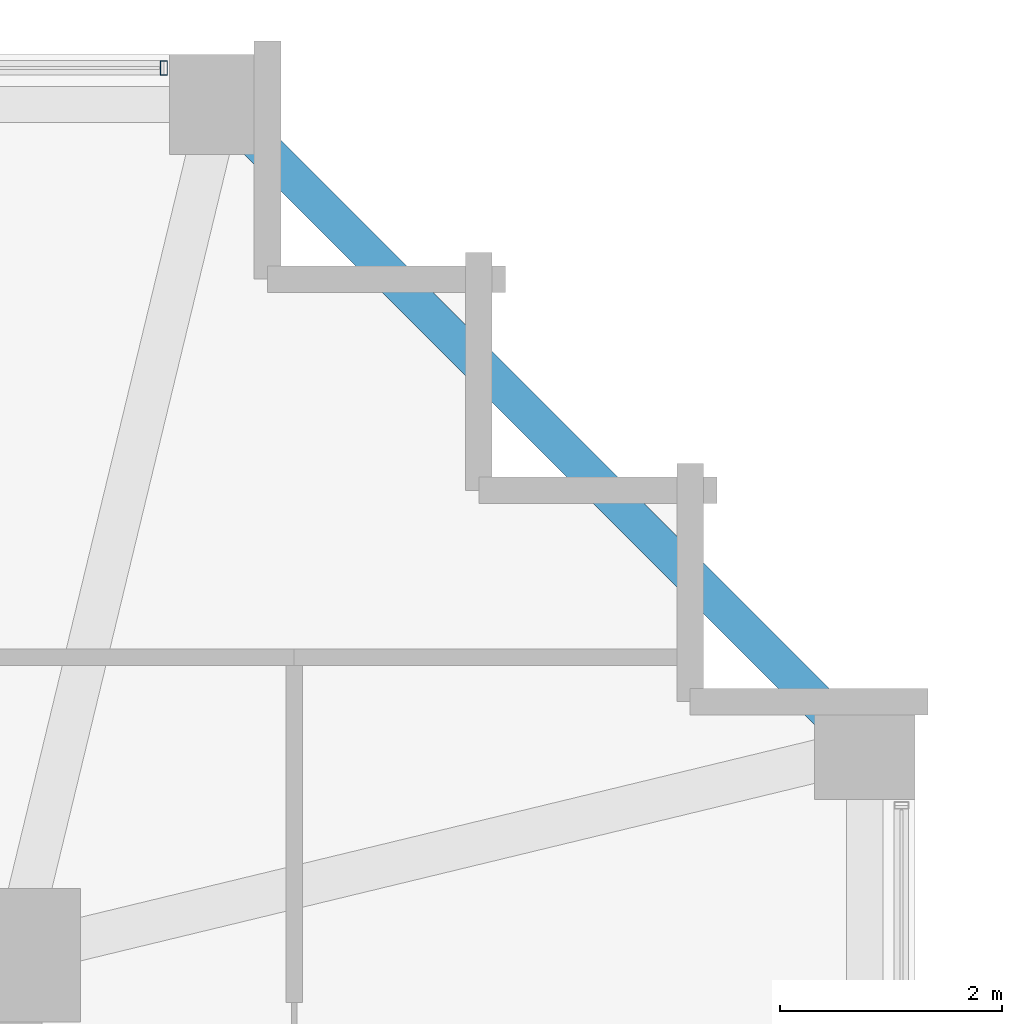
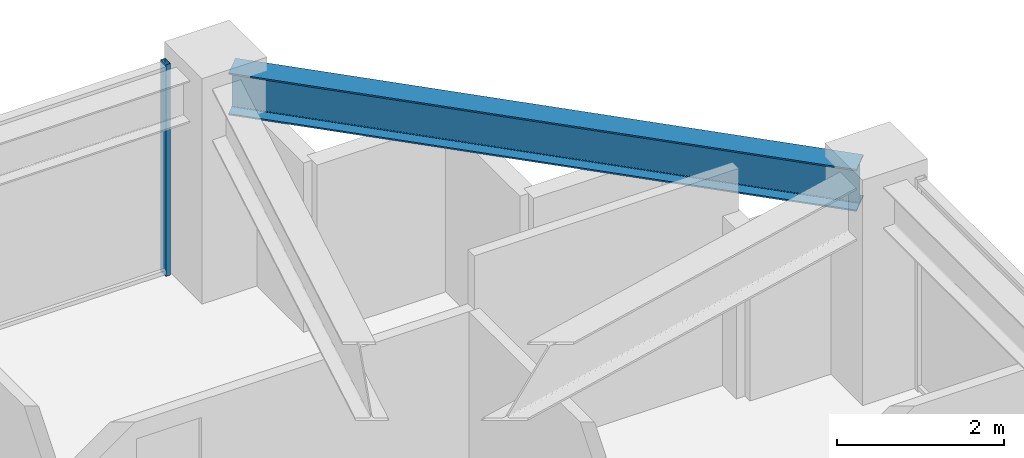
# One storey, part 22 of 33: 1 beam, 1 member, 1 element without a shape of its own.
"""IFC4 building model written with IfcOpenShell, lengths in metres."""

from ifc_helpers import new_model, si_unit, direction, frame, origin, origin_2d, place, context, subcontext, project, spatial, hollow_rectangle, i_section, extrude, material, material_profile, profile_set, type_object, element, aggregate, save


model = new_model("IFC4")

# Units and contexts
model_context = context("Model", 3, precision=1e-05, world=origin(), true_north=direction((0.0, 1.0)))
body_context = subcontext(model_context, "Body", "Model", "MODEL_VIEW")
ifc_project = project(units=[si_unit("LENGTHUNIT", "METRE"), si_unit("AREAUNIT", "SQUARE_METRE"), si_unit("VOLUMEUNIT", "CUBIC_METRE"), si_unit("PLANEANGLEUNIT", "RADIAN"), si_unit("MASSUNIT", "GRAM", prefix="KILO")], contexts=[model_context])

# Site, building, storey
site_placement = place(None, origin())
site = spatial("IfcSite", under=ifc_project, at=site_placement, CompositionType="ELEMENT")
building_placement = place(site_placement, origin())
building = spatial("IfcBuilding", under=site, at=building_placement, Name="Kolvaren Belvedere", CompositionType="ELEMENT")
storey_placement = place(building_placement, frame((0.0, 0.0, 128.300048828125)))
storey = spatial("IfcBuildingStorey", under=building, at=storey_placement, Name="L37", CompositionType="ELEMENT", Elevation=128.300048828125)

# Beam
ifc_material_1 = material(Name="Structural steel ASTM A992 Grade 50", Category="steel")
ifc_material_profile_1 = material_profile(ifc_material_1, i_section(OverallWidth=0.324951171875, OverallDepth=0.615966796875, WebThickness=0.013916015625, FlangeThickness=0.021484375, FilletRadius=0.02001953125, at=origin_2d()), Name="W24X117")
ifc_profile_set_1 = profile_set([ifc_material_profile_1], Name="Structural steel ASTM A992 Grade 50")
beam_type = type_object("IfcBeamType", Name="BM-SPAN-W24X117", PredefinedType="SPANDREL", material=ifc_profile_set_1)
beam_placement = place(storey_placement, frame((17.40673828125, 11.893310546875, 2.7919921875), z_axis=(-0.707106781187, 0.707106781187, 0.0), x_axis=(-0.707106781187, -0.707106781187, 0.0)))
element("IfcBeam", 1, at=beam_placement, inside=storey, type_object=beam_type, Name="L37 Perimeter Spandrel E4-N4", PredefinedType="SPANDREL", context=body_context, shape_type="SweptSolid", body=[
    extrude(i_section(OverallWidth=0.324951171875, OverallDepth=0.615966796875, WebThickness=0.013916015625, FlangeThickness=0.021484375, FilletRadius=0.02001953125, at=origin_2d()), origin(), (0.0, 0.0, 1.0), 7.797119140625),
])

# Curtain wall, member
ifc_material_2 = material(Name="Anodised pale-metal aluminium AA 6063-T6", Category="aluminium")
curtain_wall_type = type_object("IfcCurtainWallType", Name="CW-Z3-WAIST", PredefinedType="NOTDEFINED", material=ifc_material_2)
curtain_wall_placement = place(storey_placement, origin())
curtain_wall = element("IfcCurtainWall", 2, at=curtain_wall_placement, inside=storey, type_object=curtain_wall_type, Name="L37 Unitised Curtain Wall FCW-L37-N-B3", PredefinedType="NOTDEFINED")
ifc_material_3 = material(Name="Anodised pale-metal aluminium AA 6063-T6", Category="aluminium")
ifc_material_profile_2 = material_profile(ifc_material_3, hollow_rectangle(XDim=0.06494140625, YDim=0.1298828125, WallThickness=0.00390625, at=origin_2d()), Name="ALU-MUL-130X65")
ifc_profile_set_2 = profile_set([ifc_material_profile_2], Name="Anodised pale-metal aluminium AA 6063-T6")
member_type = type_object("IfcMemberType", Name="CW-MUL-130", PredefinedType="MULLION", material=ifc_profile_set_2)
member_placement = place(storey_placement, frame((11.24755859375, 17.8798828125, 0.0), z_axis=(0.0, 0.0, 1.0), x_axis=(1.0, 0.0, 0.0)))
member = element("IfcMember", 3, at=member_placement, type_object=member_type, Name="FCW-L37-N-B3 Unitised Mullion 3", PredefinedType="MULLION", context=body_context, shape_type="SweptSolid", body=[
    extrude(hollow_rectangle(XDim=0.06494140625, YDim=0.1298828125, WallThickness=0.00390625, at=origin_2d()), origin(), (0.0, 0.0, 1.0), 3.099853515625),
])
aggregate(curtain_wall, [member])

save(model, "model.ifc")
